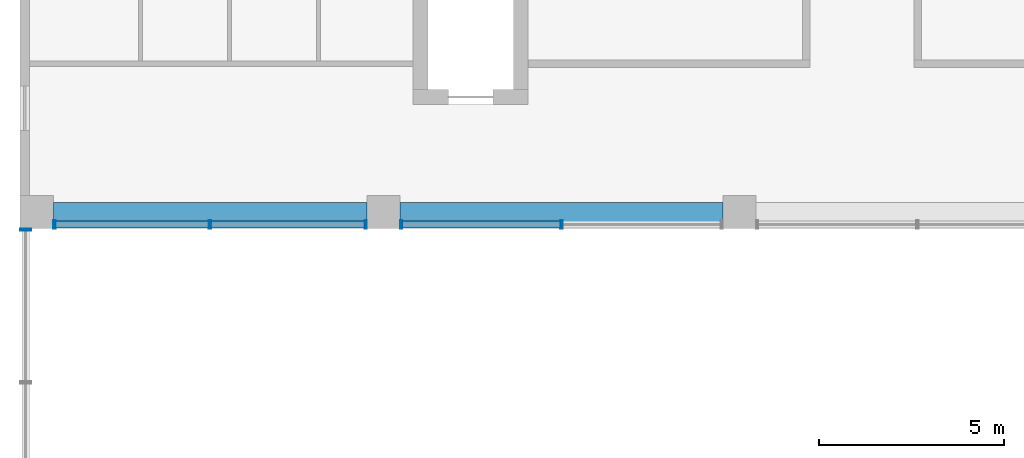
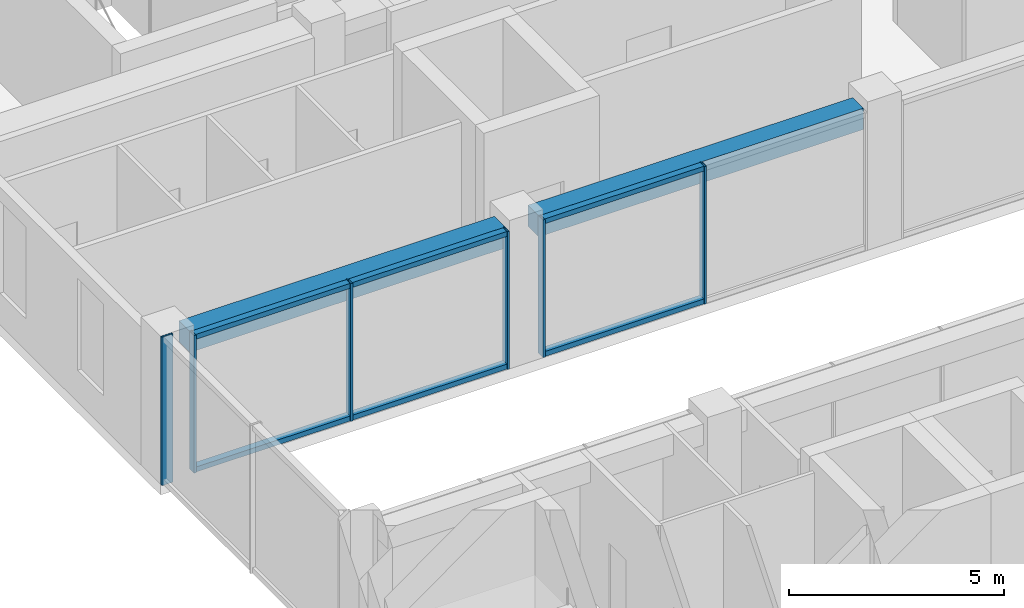
# One storey, part 8 of 37: 12 members, 2 beams, 3 elements without a shape of their own.
"""IFC4 building model written with IfcOpenShell, lengths in metres."""

import ifcopenshell
import ifcopenshell.guid

model = None  # the IFC model being written
_history = None  # IfcOwnerHistory: only IFC2X3 demands one
_inside = {}  # id of a spatial element -> (the spatial element, [elements in it])
_under = {}  # id of a project, library or spatial element -> (it, [spatial elements below it])
_declared = {}  # id of a project -> (the project, [libraries it declares])
_typed = {}  # id of a type object -> (the type object, [elements of that type])
_made_of = {}  # id of a material, layer set ... -> (it, [elements and type objects made of it])


def new_model(schema):
    """Start an empty IFC model of exactly this schema.

    Asked for "IFC4X3", IfcOpenShell would pick the latest addendum, in which some entities
    have other attributes; the version numbers below select the first issue.
    IFC2X3 requires an IfcOwnerHistory on every rooted entity: one is made here for all.
    """
    global model, _history
    if schema == "IFC4X3":
        model = ifcopenshell.file(schema_version=(4, 3, 0, 0))
    else:
        model = ifcopenshell.file(schema=schema)
    _inside.clear()
    _under.clear()
    _declared.clear()
    _typed.clear()
    _made_of.clear()
    _history = None
    if model.schema == "IFC2X3":
        org = make("IfcOrganization", Name="unknown")
        user = make(
            "IfcPersonAndOrganization",
            ThePerson=make("IfcPerson", FamilyName="unknown"),
            TheOrganization=org,
        )
        app = make(
            "IfcApplication",
            ApplicationDeveloper=org,
            Version="unknown",
            ApplicationFullName="unknown",
            ApplicationIdentifier="unknown",
        )
        _history = make(
            "IfcOwnerHistory",
            OwningUser=user,
            OwningApplication=app,
            ChangeAction="ADDED",
            CreationDate=0,
        )
    return model


def make(cls, **values):
    """One entity of the class cls with the attributes given. An attribute that is None is left unset."""
    return model.create_entity(
        cls, **{name: value for name, value in values.items() if value is not None}
    )


def rooted(cls, **values):
    """An entity with a GlobalId (a new one), such as an element, a storey or a relation."""
    return make(cls, GlobalId=ifcopenshell.guid.new(), OwnerHistory=_history, **values)


def si_unit(unit_type, name, prefix=None):
    """IfcSIUnit, for example si_unit("LENGTHUNIT", "METRE", prefix="MILLI")."""
    return make("IfcSIUnit", UnitType=unit_type, Prefix=prefix, Name=name)


def assignment(units):
    """IfcUnitAssignment: the units of a project."""
    return None if units is None else make("IfcUnitAssignment", Units=units)


def point(xyz):
    """IfcCartesianPoint."""
    return None if xyz is None else make("IfcCartesianPoint", Coordinates=xyz)


def direction(xyz):
    """IfcDirection."""
    return None if xyz is None else make("IfcDirection", DirectionRatios=xyz)


def frame(location, z_axis=None, x_axis=None):
    """IfcAxis2Placement3D, a coordinate frame: its origin and axes. An axis left out is left unset."""
    return make(
        "IfcAxis2Placement3D",
        Location=point(location),
        Axis=direction(z_axis),
        RefDirection=direction(x_axis),
    )


def frame_2d(location, x_axis=None):
    """IfcAxis2Placement2D, a coordinate frame in the plane: its origin and x axis."""
    return make(
        "IfcAxis2Placement2D", Location=point(location), RefDirection=direction(x_axis)
    )


def origin():
    """The frame at (0, 0, 0) with its axes left unset."""
    return frame((0.0, 0.0, 0.0))


def origin_2d():
    """The frame at (0, 0) in the plane with its x axis left unset."""
    return frame_2d((0.0, 0.0))


def place(relative_to, where):
    """IfcLocalPlacement: puts the frame where relative to a parent placement (None: the world)."""
    return make(
        "IfcLocalPlacement", PlacementRelTo=relative_to, RelativePlacement=where
    )


def context(
    kind, dimensions, precision=None, world=None, true_north=None, identifier=None
):
    """IfcGeometricRepresentationContext, for example the 3D "Model" context."""
    return make(
        "IfcGeometricRepresentationContext",
        ContextIdentifier=identifier,
        ContextType=kind,
        CoordinateSpaceDimension=dimensions,
        Precision=precision,
        WorldCoordinateSystem=world,
        TrueNorth=true_north,
    )


def subcontext(parent, identifier, kind, view, scale=None):
    """IfcGeometricRepresentationSubContext, for example "Body" below "Model"."""
    return make(
        "IfcGeometricRepresentationSubContext",
        ContextIdentifier=identifier,
        ContextType=kind,
        ParentContext=parent,
        TargetScale=scale,
        TargetView=view,
    )


def project(units=None, contexts=None):
    """IfcProject with its units and contexts."""
    return rooted(
        "IfcProject",
        Name="project",
        RepresentationContexts=contexts,
        UnitsInContext=assignment(units),
    )


def spatial(cls, under=None, at=None, **own):
    """A site, building, storey or space (cls), placed at a placement, below another one or the project."""
    s = rooted(cls, ObjectPlacement=at, **own)
    if under is not None:
        _under.setdefault(under.id(), (under, []))[1].append(s)
    return s


def profile(cls, at=None, kind="AREA", **sizes):
    """A parametric profile (cls). Its sizes go by their IFC names, for example OverallWidth=200.0."""
    return make(cls, ProfileType=kind, Position=at, **sizes)


def rectangle(**sizes):
    """IfcRectangleProfileDef."""
    return profile("IfcRectangleProfileDef", **sizes)


def hollow_rectangle(**sizes):
    """IfcRectangleHollowProfileDef."""
    return profile("IfcRectangleHollowProfileDef", **sizes)


def extrude(swept, where, along, depth):
    """IfcExtrudedAreaSolid: the profile swept, set in the frame where, extruded along a direction by depth."""
    return make(
        "IfcExtrudedAreaSolid",
        SweptArea=swept,
        Position=where,
        ExtrudedDirection=direction(along),
        Depth=depth,
    )


def shape(context_of_items, identifier, shape_type, items):
    """IfcShapeRepresentation: the items that make up one representation, for example the "Body"."""
    return make(
        "IfcShapeRepresentation",
        ContextOfItems=context_of_items,
        RepresentationIdentifier=identifier,
        RepresentationType=shape_type,
        Items=items,
    )


def material(Name=None, Category=None):
    """IfcMaterial."""
    return make("IfcMaterial", Name=Name, Category=Category)


def layer(
    of_material, thickness, ventilated=None, Name=None, Category=None, Priority=None
):
    """IfcMaterialLayer: one layer of a wall or slab, of a material (None: an air gap)."""
    return make(
        "IfcMaterialLayer",
        Material=of_material,
        LayerThickness=thickness,
        IsVentilated=ventilated,
        Name=Name,
        Category=Category,
        Priority=Priority,
    )


def layer_set(layers, Name=None):
    """IfcMaterialLayerSet."""
    return make("IfcMaterialLayerSet", MaterialLayers=layers, LayerSetName=Name)


def material_profile(
    of_material, cross_section, Name=None, Category=None, Priority=None
):
    """IfcMaterialProfile: a cross section and its material."""
    return make(
        "IfcMaterialProfile",
        Name=Name,
        Material=of_material,
        Profile=cross_section,
        Priority=Priority,
        Category=Category,
    )


def profile_set(profiles, Name=None, composite=None):
    """IfcMaterialProfileSet."""
    return make(
        "IfcMaterialProfileSet",
        Name=Name,
        MaterialProfiles=profiles,
        CompositeProfile=composite,
    )


def made_of(thing, what):
    """Note that an element or type object is made of a material, layer set ...; save() writes the relation."""
    if what is not None:
        _made_of.setdefault(what.id(), (what, []))[1].append(thing)
    return thing


def type_object(cls, material=None, **own):
    """A type object (cls), such as IfcWallType, which elements share."""
    return made_of(rooted(cls, **own), material)


def element(
    cls,
    number,
    at=None,
    inside=None,
    cuts=None,
    type_object=None,
    material=None,
    context=None,
    identifier="Body",
    shape_type=None,
    held_by="IfcProductDefinitionShape",
    body=None,
    shapes=None,
    **own,
):
    """One element of the class cls, such as IfcWall. Its Tag is "e" and its number.

    at: its placement. inside: the storey or other place that contains it. cuts: it is an
    opening in that element (IfcRelVoidsElement). A single representation is given by context,
    identifier, shape_type and body (its items); several are given by shapes. held_by: the class
    of the entity that holds the representations. save() writes the other relations.
    """
    e = rooted(cls, Tag="e%d" % number, ObjectPlacement=at, **own)
    if body is not None:
        shapes = [shape(context, identifier, shape_type, body)]
    if shapes is not None:
        e.Representation = make(held_by, Representations=shapes)
    if inside is not None:
        _inside.setdefault(inside.id(), (inside, []))[1].append(e)
    if cuts is not None:
        rooted(
            "IfcRelVoidsElement", RelatingBuildingElement=cuts, RelatedOpeningElement=e
        )
    if type_object is not None:
        _typed.setdefault(type_object.id(), (type_object, []))[1].append(e)
    return made_of(e, material)


def aggregate(whole, parts):
    """IfcRelAggregates: a whole, such as a stair, and the parts it consists of."""
    return rooted("IfcRelAggregates", RelatingObject=whole, RelatedObjects=parts)


def save(model, path):
    """Write the relations noted so far, then the file.

    IfcRelAggregates (storeys below a building ...), IfcRelContainedInSpatialStructure (elements
    in a storey), IfcRelDefinesByType, IfcRelAssociatesMaterial and IfcRelDeclares: one each for
    every whole, place, type object, material and project.
    """
    for whole, parts in _under.values():
        aggregate(whole, parts)
    for where, things in _inside.values():
        rooted(
            "IfcRelContainedInSpatialStructure",
            RelatedElements=things,
            RelatingStructure=where,
        )
    for kind, things in _typed.values():
        rooted("IfcRelDefinesByType", RelatedObjects=things, RelatingType=kind)
    for what, things in _made_of.values():
        rooted("IfcRelAssociatesMaterial", RelatedObjects=things, RelatingMaterial=what)
    for by, libraries in _declared.values():
        rooted("IfcRelDeclares", RelatingContext=by, RelatedDefinitions=libraries)
    model.write(path)


model = new_model("IFC4")

# Units and contexts
model_context = context("Model", 3, precision=1e-05, world=origin(), true_north=direction((0.0, 1.0)))
body_context = subcontext(model_context, "Body", "Model", "MODEL_VIEW")
ifc_project = project(units=[si_unit("LENGTHUNIT", "METRE"), si_unit("AREAUNIT", "SQUARE_METRE"), si_unit("VOLUMEUNIT", "CUBIC_METRE"), si_unit("PLANEANGLEUNIT", "RADIAN"), si_unit("MASSUNIT", "GRAM", prefix="KILO")], contexts=[model_context])

# Site, building, storey
site_placement = place(None, origin())
site = spatial("IfcSite", under=ifc_project, at=site_placement, CompositionType="ELEMENT")
building_placement = place(site_placement, origin())
building = spatial("IfcBuilding", under=site, at=building_placement, Name="Nzadi Deep Aquarium and Research Tower", CompositionType="ELEMENT")
storey_placement = place(building_placement, frame((0.0, 0.0, 61.300048828125)))
storey = spatial("IfcBuildingStorey", under=building, at=storey_placement, Name="L12", CompositionType="ELEMENT", Elevation=61.300048828125)

# Curtain wall, members
ifc_material_1 = material(Name="Aluminium unitised frame deep", Category="aluminium")
ifc_layer_1 = layer(ifc_material_1, 0.22509765625)
ifc_layer_set_1 = layer_set([ifc_layer_1], Name="Aluminium unitised frame deep")
curtain_wall_type_1 = type_object("IfcCurtainWallType", Name="Curtain wall Unitised Deep 225", PredefinedType="NOTDEFINED", material=ifc_layer_set_1)
curtain_wall_1_placement = place(storey_placement, origin())
curtain_wall_1 = element("IfcCurtainWall", 1, at=curtain_wall_1_placement, inside=storey, type_object=curtain_wall_type_1, Name="Unitised curtain wall blade B south L12", PredefinedType="NOTDEFINED")
ifc_material_2 = material(Name="Aluminium unitised frame deep", Category="aluminium")
ifc_material_profile_1 = material_profile(ifc_material_2, hollow_rectangle(XDim=0.22509765625, YDim=0.06005859375, WallThickness=0.0048828125, at=origin_2d()))
ifc_profile_set_1 = profile_set([ifc_material_profile_1], Name="Aluminium unitised frame deep")
member_type_1 = type_object("IfcMemberType", Name="Mullion 60x225 Unitised Deep", PredefinedType="MULLION", material=ifc_profile_set_1)
member_1_placement = place(storey_placement, frame((0.72998046875, 27.262451171875, 0.0), z_axis=(0.0, 0.0, 1.0), x_axis=(0.0, 1.0, 0.0)))
member_1 = element("IfcMember", 2, at=member_1_placement, type_object=member_type_1, Name="CW152 mullion 1", PredefinedType="MULLION", context=body_context, shape_type="SweptSolid", body=[
    extrude(hollow_rectangle(XDim=0.22509765625, YDim=0.06005859375, WallThickness=0.0048828125, at=origin_2d()), origin(), (0.0, 0.0, 1.0), 3.89990234375),
])
member_2_placement = place(storey_placement, frame((4.925048828125, 27.262451171875, 0.0), z_axis=(0.0, 0.0, 1.0), x_axis=(0.0, 1.0, 0.0)))
member_2 = element("IfcMember", 3, at=member_2_placement, type_object=member_type_1, Name="CW152 mullion 2", PredefinedType="MULLION", context=body_context, shape_type="SweptSolid", body=[
    extrude(hollow_rectangle(XDim=0.22509765625, YDim=0.06005859375, WallThickness=0.0048828125, at=origin_2d()), origin(), (0.0, 0.0, 1.0), 3.89990234375),
])
member_3_placement = place(storey_placement, frame((9.1201171875, 27.262451171875, 0.0), z_axis=(0.0, 0.0, 1.0), x_axis=(0.0, 1.0, 0.0)))
member_3 = element("IfcMember", 4, at=member_3_placement, type_object=member_type_1, Name="CW152 mullion 3", PredefinedType="MULLION", context=body_context, shape_type="SweptSolid", body=[
    extrude(hollow_rectangle(XDim=0.22509765625, YDim=0.06005859375, WallThickness=0.0048828125, at=origin_2d()), origin(), (0.0, 0.0, 1.0), 3.89990234375),
])

curtain_wall_2_placement = place(storey_placement, origin())
curtain_wall_2 = element("IfcCurtainWall", 5, at=curtain_wall_2_placement, inside=storey, type_object=curtain_wall_type_1, Name="Unitised curtain wall blade B south L12", PredefinedType="NOTDEFINED")
member_4_placement = place(storey_placement, frame((10.080078125, 27.262451171875, 0.0), z_axis=(0.0, 0.0, 1.0), x_axis=(0.0, 1.0, 0.0)))
member_4 = element("IfcMember", 6, at=member_4_placement, type_object=member_type_1, Name="CW153 mullion 1", PredefinedType="MULLION", context=body_context, shape_type="SweptSolid", body=[
    extrude(hollow_rectangle(XDim=0.22509765625, YDim=0.06005859375, WallThickness=0.0048828125, at=origin_2d()), origin(), (0.0, 0.0, 1.0), 3.89990234375),
])
member_5_placement = place(storey_placement, frame((14.39990234375, 27.262451171875, 0.0), z_axis=(0.0, 0.0, 1.0), x_axis=(0.0, 1.0, 0.0)))
member_5 = element("IfcMember", 7, at=member_5_placement, type_object=member_type_1, Name="CW153 mullion 2", PredefinedType="MULLION", context=body_context, shape_type="SweptSolid", body=[
    extrude(hollow_rectangle(XDim=0.22509765625, YDim=0.06005859375, WallThickness=0.0048828125, at=origin_2d()), origin(), (0.0, 0.0, 1.0), 3.89990234375),
])

# Curtain wall, member
ifc_material_3 = material(Name="Aluminium unitised frame wind post", Category="aluminium")
ifc_layer_2 = layer(ifc_material_3, 0.300048828125)
ifc_layer_set_2 = layer_set([ifc_layer_2], Name="Aluminium unitised frame wind post")
curtain_wall_type_2 = type_object("IfcCurtainWallType", Name="Curtain wall Slot End 300", PredefinedType="NOTDEFINED", material=ifc_layer_set_2)
curtain_wall_3_placement = place(storey_placement, origin())
curtain_wall_3 = element("IfcCurtainWall", 8, at=curtain_wall_3_placement, inside=storey, type_object=curtain_wall_type_2, Name="Glazed slot end west L12", PredefinedType="NOTDEFINED")
ifc_material_4 = material(Name="Aluminium unitised frame wind post", Category="aluminium")
ifc_material_profile_2 = material_profile(ifc_material_4, hollow_rectangle(XDim=0.300048828125, YDim=0.06005859375, WallThickness=0.0048828125, at=origin_2d()))
ifc_profile_set_2 = profile_set([ifc_material_profile_2], Name="Aluminium unitised frame wind post")
member_type_2 = type_object("IfcMemberType", Name="Mullion 60x300 Slot End", PredefinedType="MULLION", material=ifc_profile_set_2)
member_6_placement = place(storey_placement, frame((-0.049560546875, 27.1201171875, 0.0), z_axis=(0.0, 0.0, 1.0), x_axis=(-1.0, 0.0, 0.0)))
member_6 = element("IfcMember", 9, at=member_6_placement, type_object=member_type_2, Name="CW215 mullion 3", PredefinedType="MULLION", context=body_context, shape_type="SweptSolid", body=[
    extrude(hollow_rectangle(XDim=0.300048828125, YDim=0.06005859375, WallThickness=0.0048828125, at=origin_2d()), origin(), (0.0, 0.0, 1.0), 4.199951171875),
])
aggregate(curtain_wall_3, [member_6])

# Beams
ifc_material_5 = material(Name="Concrete C35/45", Category="concrete")
ifc_material_profile_3 = material_profile(ifc_material_5, rectangle(XDim=0.5, YDim=0.60009765625, at=origin_2d()))
ifc_profile_set_3 = profile_set([ifc_material_profile_3], Name="Concrete C35/45")
beam_type = type_object("IfcBeamType", Name="RC 500x600", PredefinedType="BEAM", material=ifc_profile_set_3)
beam_1_placement = place(storey_placement, frame((0.699951171875, 27.60009765625, 3.599853515625), z_axis=(1.0, 0.0, 0.0), x_axis=(0.0, 1.0, 0.0)))
element("IfcBeam", 10, at=beam_1_placement, inside=storey, type_object=beam_type, Name="B-Z1-L12-L4-1", PredefinedType="BEAM", context=body_context, shape_type="SweptSolid", body=[
    extrude(rectangle(XDim=0.5, YDim=0.60009765625, at=origin_2d()), origin(), (0.0, 0.0, 1.0), 8.449951171875),
])
beam_2_placement = place(storey_placement, frame((10.050048828125, 27.60009765625, 3.599853515625), z_axis=(1.0, 0.0, 0.0), x_axis=(0.0, 1.0, 0.0)))
element("IfcBeam", 11, at=beam_2_placement, inside=storey, type_object=beam_type, Name="B-Z1-L12-L4-2", PredefinedType="BEAM", context=body_context, shape_type="SweptSolid", body=[
    extrude(rectangle(XDim=0.5, YDim=0.60009765625, at=origin_2d()), origin(), (0.0, 0.0, 1.0), 8.699951171875),
])

# Member
ifc_material_6 = material(Name="Aluminium unitised frame deep", Category="aluminium")
ifc_material_profile_4 = material_profile(ifc_material_6, hollow_rectangle(XDim=0.179931640625, YDim=0.139892578125, WallThickness=0.0048828125, at=origin_2d()))
ifc_profile_set_4 = profile_set([ifc_material_profile_4], Name="Aluminium unitised frame deep")
member_type_3 = type_object("IfcMemberType", Name="Transom 140x180 Unitised Deep", PredefinedType="MULLION", material=ifc_profile_set_4)
member_7_placement = place(storey_placement, frame((0.760009765625, 27.262451171875, 0.070068359375), z_axis=(1.0, 0.0, 0.0), x_axis=(0.0, 1.0, 0.0)))
member_7 = element("IfcMember", 12, at=member_7_placement, type_object=member_type_3, Name="CW152 transom 1.1", PredefinedType="MULLION", context=body_context, shape_type="SweptSolid", body=[
    extrude(hollow_rectangle(XDim=0.179931640625, YDim=0.139892578125, WallThickness=0.0048828125, at=origin_2d()), origin(), (0.0, 0.0, 1.0), 4.135009765625),
])

member_8_placement = place(storey_placement, frame((0.760009765625, 27.262451171875, 3.829833984375), z_axis=(1.0, 0.0, 0.0), x_axis=(0.0, 1.0, 0.0)))
member_8 = element("IfcMember", 13, at=member_8_placement, type_object=member_type_3, Name="CW152 transom 1.2", PredefinedType="MULLION", context=body_context, shape_type="SweptSolid", body=[
    extrude(hollow_rectangle(XDim=0.179931640625, YDim=0.139892578125, WallThickness=0.0048828125, at=origin_2d()), origin(), (0.0, 0.0, 1.0), 4.135009765625),
])

member_9_placement = place(storey_placement, frame((4.955078125, 27.262451171875, 0.070068359375), z_axis=(1.0, 0.0, 0.0), x_axis=(0.0, 1.0, 0.0)))
member_9 = element("IfcMember", 14, at=member_9_placement, type_object=member_type_3, Name="CW152 transom 2.1", PredefinedType="MULLION", context=body_context, shape_type="SweptSolid", body=[
    extrude(hollow_rectangle(XDim=0.179931640625, YDim=0.139892578125, WallThickness=0.0048828125, at=origin_2d()), origin(), (0.0, 0.0, 1.0), 4.135009765625),
])

member_10_placement = place(storey_placement, frame((4.955078125, 27.262451171875, 3.829833984375), z_axis=(1.0, 0.0, 0.0), x_axis=(0.0, 1.0, 0.0)))
member_10 = element("IfcMember", 15, at=member_10_placement, type_object=member_type_3, Name="CW152 transom 2.2", PredefinedType="MULLION", context=body_context, shape_type="SweptSolid", body=[
    extrude(hollow_rectangle(XDim=0.179931640625, YDim=0.139892578125, WallThickness=0.0048828125, at=origin_2d()), origin(), (0.0, 0.0, 1.0), 4.135009765625),
])

aggregate(curtain_wall_1, [member_1, member_2, member_3, member_7, member_8, member_9, member_10])

member_11_placement = place(storey_placement, frame((10.110107421875, 27.262451171875, 0.070068359375), z_axis=(1.0, 0.0, 0.0), x_axis=(0.0, 1.0, 0.0)))
member_11 = element("IfcMember", 16, at=member_11_placement, type_object=member_type_3, Name="CW153 transom 1.1", PredefinedType="MULLION", context=body_context, shape_type="SweptSolid", body=[
    extrude(hollow_rectangle(XDim=0.179931640625, YDim=0.139892578125, WallThickness=0.0048828125, at=origin_2d()), origin(), (0.0, 0.0, 1.0), 4.260009765625),
])

member_12_placement = place(storey_placement, frame((10.110107421875, 27.262451171875, 3.829833984375), z_axis=(1.0, 0.0, 0.0), x_axis=(0.0, 1.0, 0.0)))
member_12 = element("IfcMember", 17, at=member_12_placement, type_object=member_type_3, Name="CW153 transom 1.2", PredefinedType="MULLION", context=body_context, shape_type="SweptSolid", body=[
    extrude(hollow_rectangle(XDim=0.179931640625, YDim=0.139892578125, WallThickness=0.0048828125, at=origin_2d()), origin(), (0.0, 0.0, 1.0), 4.260009765625),
])

aggregate(curtain_wall_2, [member_4, member_5, member_11, member_12])

save(model, "model.ifc")
